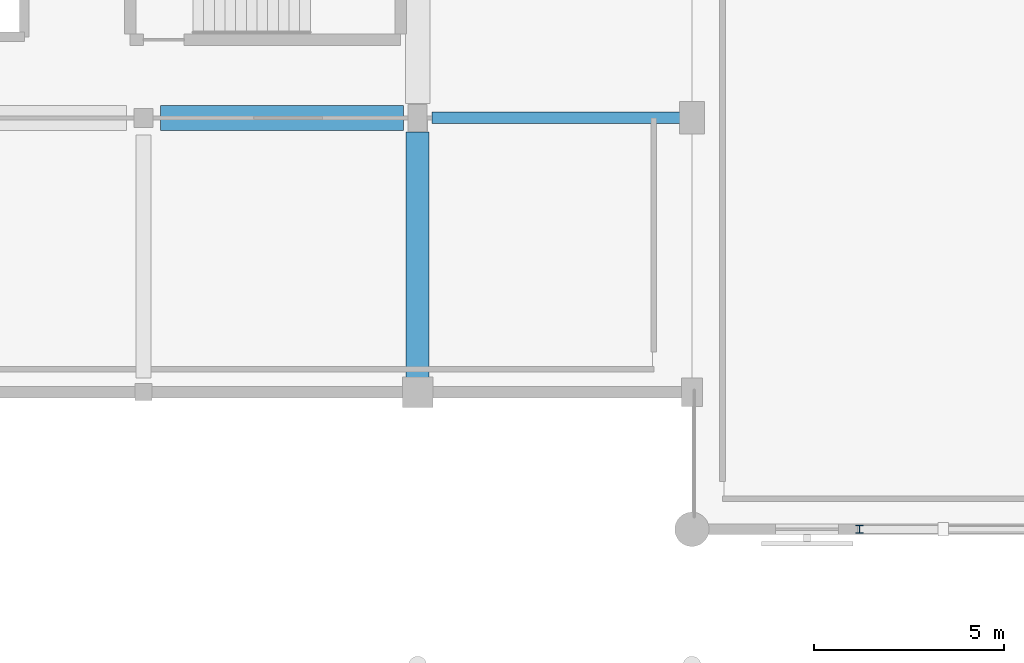
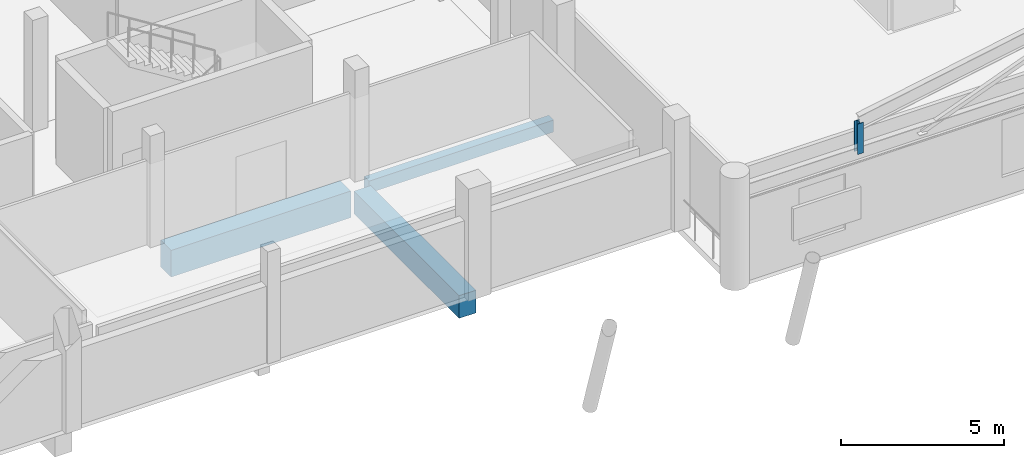
# One storey, part 26 of 92: 3 beams, 1 member.
"""IFC4 building model written with IfcOpenShell, lengths in metres."""

from ifc_helpers import new_model, si_unit, direction, frame, origin, origin_2d, place, context, subcontext, project, spatial, rectangle, i_section, extrude, material, material_profile, profile_set, type_object, element, save


model = new_model("IFC4")

# Units and contexts
model_context = context("Model", 3, precision=1e-05, world=origin(), true_north=direction((0.0, 1.0)))
body_context = subcontext(model_context, "Body", "Model", "MODEL_VIEW")
ifc_project = project(units=[si_unit("LENGTHUNIT", "METRE"), si_unit("AREAUNIT", "SQUARE_METRE"), si_unit("VOLUMEUNIT", "CUBIC_METRE"), si_unit("PLANEANGLEUNIT", "RADIAN"), si_unit("MASSUNIT", "GRAM", prefix="KILO")], contexts=[model_context])

# Site, building, storey
site_placement = place(None, origin())
site = spatial("IfcSite", under=ifc_project, at=site_placement, CompositionType="ELEMENT")
building_placement = place(site_placement, origin())
building = spatial("IfcBuilding", under=site, at=building_placement, Name="Solanera Park Tramway Depot", CompositionType="ELEMENT")
storey_placement = place(building_placement, frame((0.0, 0.0, 4.800048828125)))
storey = spatial("IfcBuildingStorey", under=building, at=storey_placement, Name="L01", CompositionType="ELEMENT", Elevation=4.800048828125)

# Beams
ifc_material_1 = material(Name="Concrete N40 (C40/50)", Category="concrete")
ifc_material_profile_1 = material_profile(ifc_material_1, rectangle(XDim=0.300048828125, YDim=0.449951171875, at=origin_2d()), Name="RCB 300x450")
ifc_profile_set_1 = profile_set([ifc_material_profile_1], Name="Concrete N40 (C40/50)")
beam_type_1 = type_object("IfcBeamType", Name="RC Floor Beam RCB 300x450", PredefinedType="BEAM", material=ifc_profile_set_1)
beam_1_placement = place(storey_placement, frame((180.375, 18.0, -0.504150390625), z_axis=(1.0, 0.0, 0.0), x_axis=(0.0, 1.0, 0.0)))
element("IfcBeam", 1, at=beam_1_placement, inside=storey, type_object=beam_type_1, Name="L01 Primary X-Girder RCB 300x450 #0011", PredefinedType="BEAM", context=body_context, shape_type="SweptSolid", body=[
    extrude(rectangle(XDim=0.300048828125, YDim=0.449951171875, at=origin_2d()), origin(), (0.0, 0.0, 1.0), 6.550048828125),
])
ifc_material_2 = material(Name="Concrete N40 (C40/50)", Category="concrete")
ifc_material_profile_2 = material_profile(ifc_material_2, rectangle(XDim=0.60009765625, YDim=0.85009765625, at=origin_2d()), Name="RCB 600x850")
ifc_profile_set_2 = profile_set([ifc_material_profile_2], Name="Concrete N40 (C40/50)")
beam_type_2 = type_object("IfcBeamType", Name="RC Floor Beam RCB 600x850", PredefinedType="BEAM", material=ifc_profile_set_2)
beam_2_placement = place(storey_placement, frame((180.0, 11.14990234375, -0.7041015625), z_axis=(0.0, 1.0, 0.0), x_axis=(-1.0, 0.0, 0.0)))
element("IfcBeam", 2, at=beam_2_placement, inside=storey, type_object=beam_type_2, Name="L01 Primary Y-Girder RCB 600x850 #0072", PredefinedType="BEAM", context=body_context, shape_type="SweptSolid", body=[
    extrude(rectangle(XDim=0.60009765625, YDim=0.85009765625, at=origin_2d()), origin(), (0.0, 0.0, 1.0), 6.47509765625),
])
ifc_material_3 = material(Name="Concrete N40 (C40/50)", Category="concrete")
ifc_material_profile_3 = material_profile(ifc_material_3, rectangle(XDim=0.64990234375, YDim=1.0, at=origin_2d()), Name="RCB 650x1000")
ifc_profile_set_3 = profile_set([ifc_material_profile_3], Name="Concrete N40 (C40/50)")
beam_type_3 = type_object("IfcBeamType", Name="RC Floor Beam RCB 650x1000", PredefinedType="BEAM", material=ifc_profile_set_3)
beam_3_placement = place(storey_placement, frame((173.25, 18.0, -0.779052734375), z_axis=(1.0, 0.0, 0.0), x_axis=(0.0, 1.0, 0.0)))
element("IfcBeam", 3, at=beam_3_placement, inside=storey, type_object=beam_type_3, Name="L01 Primary X-Girder RCB 650x1000 #0010", PredefinedType="BEAM", context=body_context, shape_type="SweptSolid", body=[
    extrude(rectangle(XDim=0.64990234375, YDim=1.0, at=origin_2d()), origin(), (0.0, 0.0, 1.0), 6.375),
])

# Member
ifc_material_4 = material(Name="Steel AS/NZS 3679.1 Grade 350", Category="steel")
ifc_material_profile_4 = material_profile(ifc_material_4, i_section(OverallWidth=0.205078125, OverallDepth=0.209716796875, WebThickness=0.00927734375, FlangeThickness=0.01416015625, at=origin_2d()), Name="200UC59.5")
ifc_profile_set_4 = profile_set([ifc_material_profile_4], Name="Steel AS/NZS 3679.1 Grade 350")
member_type = type_object("IfcMemberType", Name="Roof Gantry Compression Strut 200UC59.5", PredefinedType="STRUT", material=ifc_profile_set_4)
member_placement = place(storey_placement, frame((191.60009765625, 7.199951171875, 3.33837890625), z_axis=(0.0, 0.0, 1.0), x_axis=(1.0, 0.0, 0.0)))
element("IfcMember", 4, at=member_placement, inside=storey, type_object=member_type, Name="Hip ROOF TRUSS Heel Post #0173", PredefinedType="STRUT", context=body_context, shape_type="SweptSolid", body=[
    extrude(i_section(OverallWidth=0.205078125, OverallDepth=0.209716796875, WebThickness=0.00927734375, FlangeThickness=0.01416015625, at=origin_2d()), origin(), (0.0, 0.0, 1.0), 1.148193359375),
])

save(model, "model.ifc")
